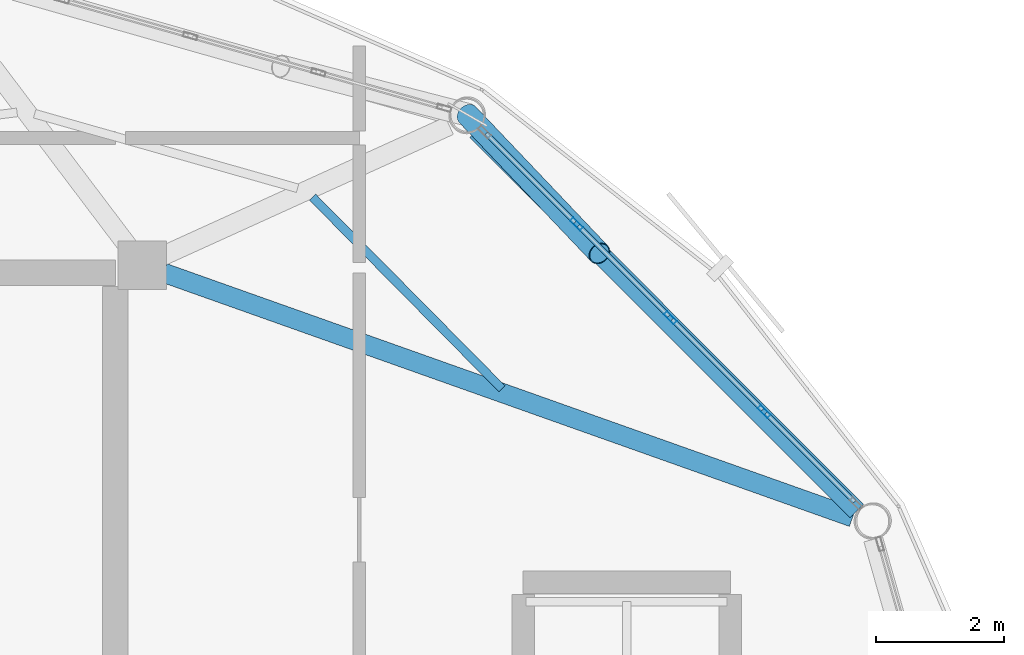
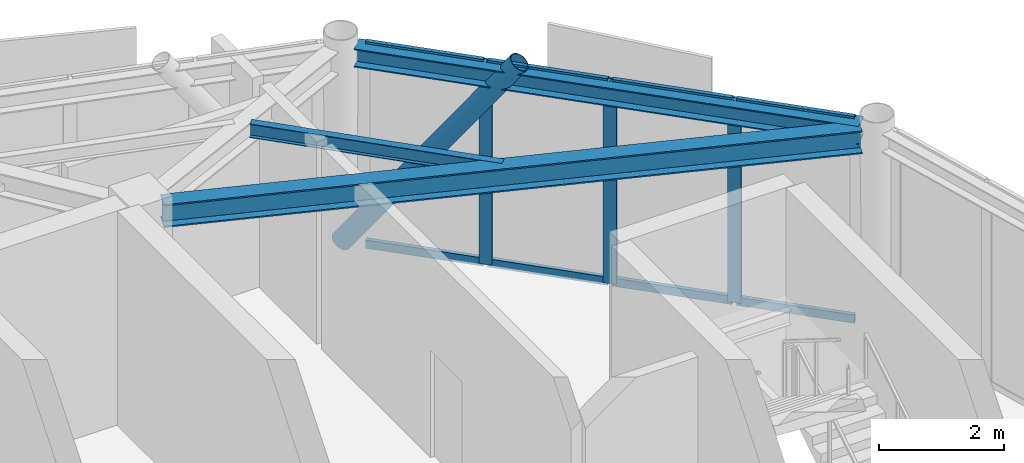
# One storey, part 11 of 20: 12 members, 3 beams, 1 element without a shape of its own.
"""IFC4 building model written with IfcOpenShell, lengths in metres."""

from ifc_helpers import new_model, si_unit, direction, frame, origin, origin_2d, place, context, subcontext, project, spatial, hollow_rectangle, hollow_circle, i_section, extrude, material, layer, layer_set, material_profile, profile_set, type_object, element, aggregate, save


model = new_model("IFC4")

# Units and contexts
model_context = context("Model", 3, precision=1e-05, world=origin(), true_north=direction((0.0, 1.0)))
body_context = subcontext(model_context, "Body", "Model", "MODEL_VIEW")
ifc_project = project(units=[si_unit("LENGTHUNIT", "METRE"), si_unit("AREAUNIT", "SQUARE_METRE"), si_unit("VOLUMEUNIT", "CUBIC_METRE"), si_unit("PLANEANGLEUNIT", "RADIAN"), si_unit("MASSUNIT", "GRAM", prefix="KILO")], contexts=[model_context])

# Site, building, storey
site_placement = place(None, origin())
site = spatial("IfcSite", under=ifc_project, at=site_placement, CompositionType="ELEMENT")
building_placement = place(site_placement, origin())
building = spatial("IfcBuilding", under=site, at=building_placement, Name="Varnakorn Sky Granary", CompositionType="ELEMENT")
storey_placement = place(building_placement, frame((0.0, 0.0, 306.60009765625)))
storey = spatial("IfcBuildingStorey", under=building, at=storey_placement, Name="L78", CompositionType="ELEMENT", Elevation=306.60009765625)

# Beams
ifc_material_1 = material(Name="Steel S355JR", Category="steel")
ifc_material_profile_1 = material_profile(ifc_material_1, i_section(OverallWidth=0.300048828125, OverallDepth=0.449951171875, WebThickness=0.013916015625, FlangeThickness=0.02587890625, at=origin_2d()), Name="HE 450 B")
ifc_profile_set_1 = profile_set([ifc_material_profile_1], Name="Steel S355JR")
beam_type_1 = type_object("IfcBeamType", Name="BM-RAD-Z5", PredefinedType="BEAM", material=ifc_profile_set_1)
beam_1_placement = place(storey_placement, frame((8.75439453125, 12.501220703125, 3.73486328125), z_axis=(0.942385883188, -0.334527797302, 0.0), x_axis=(0.334527797302, 0.942385883188, 0.0)))
element("IfcBeam", 1, at=beam_1_placement, inside=storey, type_object=beam_type_1, Name="Radial Floor Girder RG02 L78", PredefinedType="BEAM", context=body_context, shape_type="SweptSolid", body=[
    extrude(i_section(OverallWidth=0.300048828125, OverallDepth=0.449951171875, WebThickness=0.013916015625, FlangeThickness=0.02587890625, at=origin_2d()), origin(), (0.0, 0.0, 1.0), 11.3857421875),
])
ifc_material_profile_2 = material_profile(ifc_material_1, i_section(OverallWidth=0.135009765625, OverallDepth=0.27001953125, WebThickness=0.006591796875, FlangeThickness=0.01025390625, at=origin_2d()), Name="IPE 270")
ifc_profile_set_2 = profile_set([ifc_material_profile_2], Name="Steel S355JR")
beam_type_2 = type_object("IfcBeamType", Name="BM-SEC-Z5", PredefinedType="BEAM", material=ifc_profile_set_2)
beam_2_placement = place(storey_placement, frame((14.02099609375, 10.6962890625, 3.824951171875), z_axis=(-0.70302225883, 0.711167844879, 0.0), x_axis=(-0.711167844879, -0.70302225883, 0.0)))
element("IfcBeam", 2, at=beam_2_placement, inside=storey, type_object=beam_type_2, Name="Secondary Floor Chord Beam MSB02 L78", PredefinedType="BEAM", context=body_context, shape_type="SweptSolid", body=[
    extrude(i_section(OverallWidth=0.135009765625, OverallDepth=0.27001953125, WebThickness=0.006591796875, FlangeThickness=0.01025390625, at=origin_2d()), origin(), (0.0, 0.0, 1.0), 4.196044921875),
])
ifc_material_profile_3 = material_profile(ifc_material_1, i_section(OverallWidth=0.300048828125, OverallDepth=0.360107421875, WebThickness=0.012451171875, FlangeThickness=0.0224609375, at=origin_2d()), Name="HE 360 B")
ifc_profile_set_3 = profile_set([ifc_material_profile_3], Name="Steel S355JR")
beam_type_3 = type_object("IfcBeamType", Name="BM-SPD-Z5", PredefinedType="SPANDREL", material=ifc_profile_set_3)
beam_3_placement = place(storey_placement, frame((19.546630859375, 8.791259765625, 3.77978515625), z_axis=(-0.706669260359, 0.707544031467, 0.0), x_axis=(-0.707544031467, -0.706669260359, 0.0)))
element("IfcBeam", 3, at=beam_3_placement, inside=storey, type_object=beam_type_3, Name="Perimeter Spandrel Ring Beam RB02 L78", PredefinedType="SPANDREL", context=body_context, shape_type="SweptSolid", body=[
    extrude(i_section(OverallWidth=0.300048828125, OverallDepth=0.360107421875, WebThickness=0.012451171875, FlangeThickness=0.0224609375, at=origin_2d()), origin(), (0.0, 0.0, 1.0), 8.372802734375),
])

# Curtain wall, members
ifc_material_2 = material(Name="Anodised Bronze Aluminium Alloy 6063-T6", Category="aluminium")
ifc_layer = layer(ifc_material_2, 0.22998046875, Name="Anodised Bronze Aluminium Alloy 6063-T6")
ifc_layer_set = layer_set([ifc_layer], Name="Anodised Bronze Aluminium Alloy 6063-T6")
curtain_wall_type = type_object("IfcCurtainWallType", Name="CW-LNT-1", PredefinedType="USERDEFINED", material=ifc_layer_set)
curtain_wall_placement = place(storey_placement, origin())
curtain_wall = element("IfcCurtainWall", 4, at=curtain_wall_placement, inside=storey, type_object=curtain_wall_type, Name="Unitised Curtain Wall CW7 CW-L78-B02", ObjectType="CURTAIN WALL", PredefinedType="USERDEFINED")
ifc_material_profile_4 = material_profile(ifc_material_2, hollow_rectangle(XDim=0.074951171875, YDim=0.219970703125, WallThickness=0.00390625, at=origin_2d()), Name="ALU MULL 75x220")
ifc_profile_set_4 = profile_set([ifc_material_profile_4], Name="Anodised Bronze Aluminium Alloy 6063-T6")
member_type_1 = type_object("IfcMemberType", Name="CW-LNT-1-MULL", PredefinedType="MULLION", material=ifc_profile_set_4)
member_1_placement = place(storey_placement, frame((15.1865234375, 13.262939453125, 0.0), z_axis=(0.0, 0.0, 1.0), x_axis=(0.707251982619, 0.706961549932, 0.0)))
member_1 = element("IfcMember", 5, at=member_1_placement, type_object=member_type_1, Name="CW7 mullion 2", PredefinedType="MULLION", context=body_context, shape_type="SweptSolid", body=[
    extrude(hollow_rectangle(XDim=0.074951171875, YDim=0.219970703125, WallThickness=0.00390625, at=origin_2d()), origin(), (0.0, 0.0, 1.0), 3.9599609375),
])
member_2_placement = place(storey_placement, frame((16.64697265625, 11.8017578125, 0.0), z_axis=(0.0, 0.0, 1.0), x_axis=(0.707251982619, 0.706961549932, 0.0)))
member_2 = element("IfcMember", 6, at=member_2_placement, type_object=member_type_1, Name="CW7 mullion 3", PredefinedType="MULLION", context=body_context, shape_type="SweptSolid", body=[
    extrude(hollow_rectangle(XDim=0.074951171875, YDim=0.219970703125, WallThickness=0.00390625, at=origin_2d()), origin(), (0.0, 0.0, 1.0), 3.9599609375),
])
member_3_placement = place(storey_placement, frame((18.107421875, 10.3408203125, 0.0), z_axis=(0.0, 0.0, 1.0), x_axis=(0.707251982619, 0.706961549932, 0.0)))
member_3 = element("IfcMember", 7, at=member_3_placement, type_object=member_type_1, Name="CW7 mullion 4", PredefinedType="MULLION", context=body_context, shape_type="SweptSolid", body=[
    extrude(hollow_rectangle(XDim=0.074951171875, YDim=0.219970703125, WallThickness=0.00390625, at=origin_2d()), origin(), (0.0, 0.0, 1.0), 3.9599609375),
])
ifc_material_profile_5 = material_profile(ifc_material_2, hollow_rectangle(XDim=0.074951171875, YDim=0.159912109375, WallThickness=0.00390625, at=origin_2d()), Name="ALU TRAN 75x160")
ifc_profile_set_5 = profile_set([ifc_material_profile_5], Name="Anodised Bronze Aluminium Alloy 6063-T6")
member_type_2 = type_object("IfcMemberType", Name="CW-LNT-1-TRAN", PredefinedType="USERDEFINED", material=ifc_profile_set_5)
member_4_placement = place(storey_placement, frame((13.779052734375, 14.6708984375, 0.037353515625), z_axis=(0.706919277741, -0.707294234925, 0.0), x_axis=(0.707294234925, 0.706919277741, 0.0)))
member_4 = element("IfcMember", 8, at=member_4_placement, type_object=member_type_2, Name="CW7 transom 1.1", ObjectType="TRANSOM", PredefinedType="USERDEFINED", context=body_context, shape_type="SweptSolid", body=[
    extrude(hollow_rectangle(XDim=0.074951171875, YDim=0.159912109375, WallThickness=0.00390625, at=origin_2d()), origin(), (0.0, 0.0, 1.0), 1.953369140625),
])
member_5_placement = place(storey_placement, frame((13.779052734375, 14.6708984375, 3.92236328125), z_axis=(0.706919277741, -0.707294234925, 0.0), x_axis=(0.707294234925, 0.706919277741, 0.0)))
member_5 = element("IfcMember", 9, at=member_5_placement, type_object=member_type_2, Name="CW7 transom 1.2", ObjectType="TRANSOM", PredefinedType="USERDEFINED", context=body_context, shape_type="SweptSolid", body=[
    extrude(hollow_rectangle(XDim=0.074951171875, YDim=0.159912109375, WallThickness=0.00390625, at=origin_2d()), origin(), (0.0, 0.0, 1.0), 1.953369140625),
])
member_6_placement = place(storey_placement, frame((15.212890625, 13.236328125, 0.037353515625), z_axis=(0.70704546692, -0.707168090137, 0.0), x_axis=(0.707168090137, 0.70704546692, 0.0)))
member_6 = element("IfcMember", 10, at=member_6_placement, type_object=member_type_2, Name="CW7 transom 2.1", ObjectType="TRANSOM", PredefinedType="USERDEFINED", context=body_context, shape_type="SweptSolid", body=[
    extrude(hollow_rectangle(XDim=0.074951171875, YDim=0.159912109375, WallThickness=0.00390625, at=origin_2d()), origin(), (0.0, 0.0, 1.0), 1.990966796875),
])
member_7_placement = place(storey_placement, frame((15.212890625, 13.236328125, 3.92236328125), z_axis=(0.70704546692, -0.707168090137, 0.0), x_axis=(0.707168090137, 0.70704546692, 0.0)))
member_7 = element("IfcMember", 11, at=member_7_placement, type_object=member_type_2, Name="CW7 transom 2.2", ObjectType="TRANSOM", PredefinedType="USERDEFINED", context=body_context, shape_type="SweptSolid", body=[
    extrude(hollow_rectangle(XDim=0.074951171875, YDim=0.159912109375, WallThickness=0.00390625, at=origin_2d()), origin(), (0.0, 0.0, 1.0), 1.990966796875),
])
member_8_placement = place(storey_placement, frame((16.673583984375, 11.775390625, 0.037353515625), z_axis=(0.706922822444, -0.707290692083, 0.0), x_axis=(0.707290692083, 0.706922822444, 0.0)))
member_8 = element("IfcMember", 12, at=member_8_placement, type_object=member_type_2, Name="CW7 transom 3.1", ObjectType="TRANSOM", PredefinedType="USERDEFINED", context=body_context, shape_type="SweptSolid", body=[
    extrude(hollow_rectangle(XDim=0.074951171875, YDim=0.159912109375, WallThickness=0.00390625, at=origin_2d()), origin(), (0.0, 0.0, 1.0), 1.990966796875),
])
member_9_placement = place(storey_placement, frame((16.673583984375, 11.775390625, 3.92236328125), z_axis=(0.706922822444, -0.707290692083, 0.0), x_axis=(0.707290692083, 0.706922822444, 0.0)))
member_9 = element("IfcMember", 13, at=member_9_placement, type_object=member_type_2, Name="CW7 transom 3.2", ObjectType="TRANSOM", PredefinedType="USERDEFINED", context=body_context, shape_type="SweptSolid", body=[
    extrude(hollow_rectangle(XDim=0.074951171875, YDim=0.159912109375, WallThickness=0.00390625, at=origin_2d()), origin(), (0.0, 0.0, 1.0), 1.990966796875),
])
member_10_placement = place(storey_placement, frame((18.134033203125, 10.314208984375, 0.037353515625), z_axis=(0.706919277741, -0.707294234925, 0.0), x_axis=(0.707294234925, 0.706919277741, 0.0)))
member_10 = element("IfcMember", 14, at=member_10_placement, type_object=member_type_2, Name="CW7 transom 4.1", ObjectType="TRANSOM", PredefinedType="USERDEFINED", context=body_context, shape_type="SweptSolid", body=[
    extrude(hollow_rectangle(XDim=0.074951171875, YDim=0.159912109375, WallThickness=0.00390625, at=origin_2d()), origin(), (0.0, 0.0, 1.0), 1.953369140625),
])
member_11_placement = place(storey_placement, frame((18.134033203125, 10.314208984375, 3.92236328125), z_axis=(0.706919277741, -0.707294234925, 0.0), x_axis=(0.707294234925, 0.706919277741, 0.0)))
member_11 = element("IfcMember", 15, at=member_11_placement, type_object=member_type_2, Name="CW7 transom 4.2", ObjectType="TRANSOM", PredefinedType="USERDEFINED", context=body_context, shape_type="SweptSolid", body=[
    extrude(hollow_rectangle(XDim=0.074951171875, YDim=0.159912109375, WallThickness=0.00390625, at=origin_2d()), origin(), (0.0, 0.0, 1.0), 1.953369140625),
])
aggregate(curtain_wall, [member_1, member_2, member_3, member_4, member_5, member_6, member_7, member_8, member_9, member_10, member_11])

# Member
ifc_material_3 = material(Name="Steel S460M", Category="steel")
ifc_material_profile_6 = material_profile(ifc_material_3, hollow_circle(Radius=0.177734375, WallThickness=0.01416015625, at=origin_2d()), Name="CHS 355.6x14")
ifc_profile_set_6 = profile_set([ifc_material_profile_6], Name="Steel S460M")
member_type_3 = type_object("IfcMemberType", Name="MB-DIAG-T5", PredefinedType="BRACE", material=ifc_profile_set_6)
member_12_placement = place(storey_placement, frame((13.486083984375, 14.964111328125, 0.0), z_axis=(0.405781039, -0.427005915029, 0.808088916468), x_axis=(0.724893107433, 0.688861366892, 0.0)))
element("IfcMember", 16, at=member_12_placement, inside=storey, type_object=member_type_3, Name="Perimeter CHS Diagrid Brace DG02 L78", PredefinedType="BRACE", context=body_context, shape_type="SweptSolid", body=[
    extrude(hollow_circle(Radius=0.177734375, WallThickness=0.01416015625, at=origin_2d()), origin(), (0.0, 0.0, 1.0), 5.06103515625),
])

save(model, "model.ifc")
